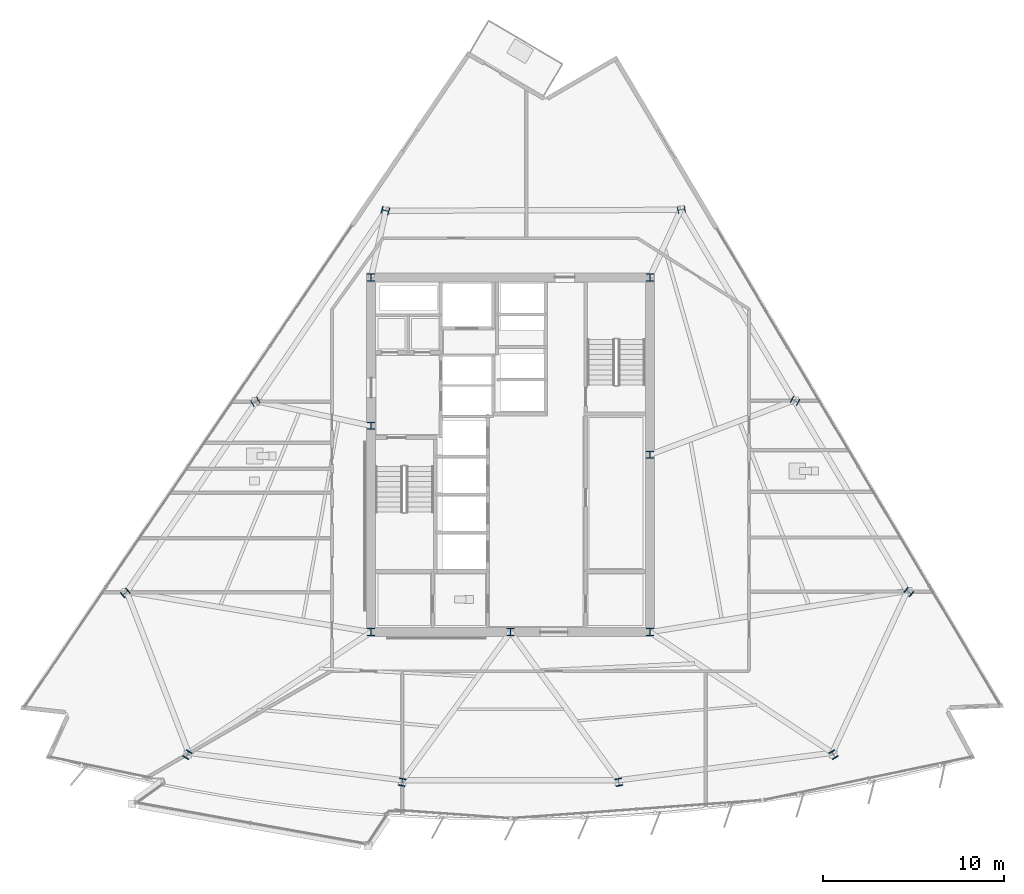
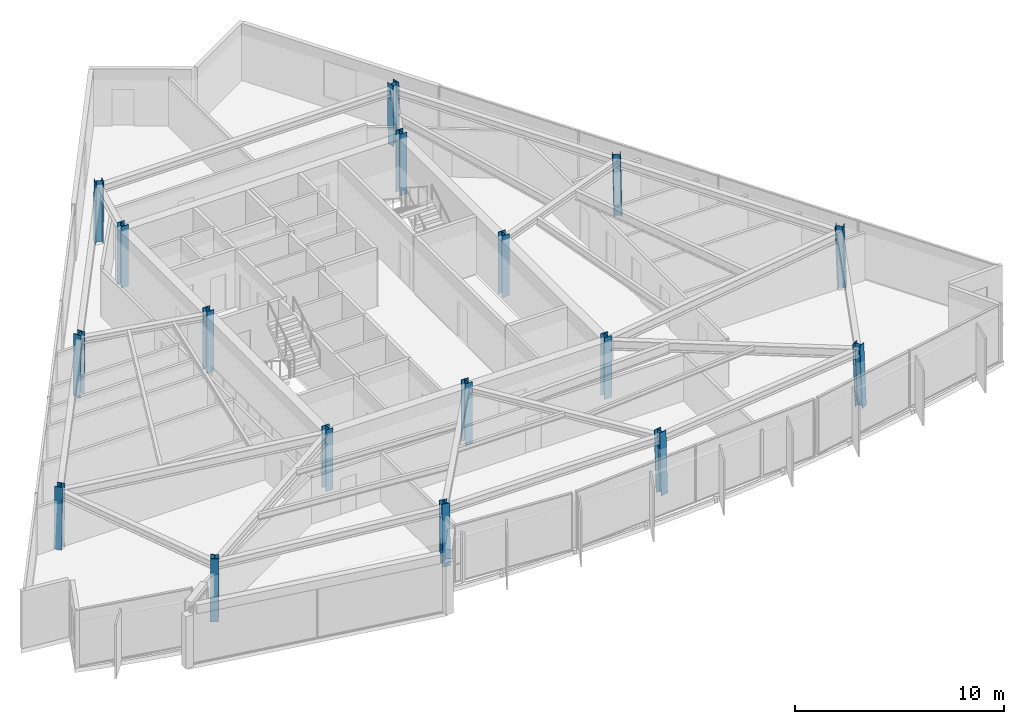
# One storey, part 1 of 16: 17 columns.
"""IFC4 building model written with IfcOpenShell, lengths in metres."""

import ifcopenshell
import ifcopenshell.guid

model = None  # the IFC model being written
_history = None  # IfcOwnerHistory: only IFC2X3 demands one
_inside = {}  # id of a spatial element -> (the spatial element, [elements in it])
_under = {}  # id of a project, library or spatial element -> (it, [spatial elements below it])
_declared = {}  # id of a project -> (the project, [libraries it declares])
_typed = {}  # id of a type object -> (the type object, [elements of that type])
_made_of = {}  # id of a material, layer set ... -> (it, [elements and type objects made of it])


def new_model(schema):
    """Start an empty IFC model of exactly this schema.

    Asked for "IFC4X3", IfcOpenShell would pick the latest addendum, in which some entities
    have other attributes; the version numbers below select the first issue.
    IFC2X3 requires an IfcOwnerHistory on every rooted entity: one is made here for all.
    """
    global model, _history
    if schema == "IFC4X3":
        model = ifcopenshell.file(schema_version=(4, 3, 0, 0))
    else:
        model = ifcopenshell.file(schema=schema)
    _inside.clear()
    _under.clear()
    _declared.clear()
    _typed.clear()
    _made_of.clear()
    _history = None
    if model.schema == "IFC2X3":
        org = make("IfcOrganization", Name="unknown")
        user = make(
            "IfcPersonAndOrganization",
            ThePerson=make("IfcPerson", FamilyName="unknown"),
            TheOrganization=org,
        )
        app = make(
            "IfcApplication",
            ApplicationDeveloper=org,
            Version="unknown",
            ApplicationFullName="unknown",
            ApplicationIdentifier="unknown",
        )
        _history = make(
            "IfcOwnerHistory",
            OwningUser=user,
            OwningApplication=app,
            ChangeAction="ADDED",
            CreationDate=0,
        )
    return model


def make(cls, **values):
    """One entity of the class cls with the attributes given. An attribute that is None is left unset."""
    return model.create_entity(
        cls, **{name: value for name, value in values.items() if value is not None}
    )


def rooted(cls, **values):
    """An entity with a GlobalId (a new one), such as an element, a storey or a relation."""
    return make(cls, GlobalId=ifcopenshell.guid.new(), OwnerHistory=_history, **values)


def si_unit(unit_type, name, prefix=None):
    """IfcSIUnit, for example si_unit("LENGTHUNIT", "METRE", prefix="MILLI")."""
    return make("IfcSIUnit", UnitType=unit_type, Prefix=prefix, Name=name)


def assignment(units):
    """IfcUnitAssignment: the units of a project."""
    return None if units is None else make("IfcUnitAssignment", Units=units)


def point(xyz):
    """IfcCartesianPoint."""
    return None if xyz is None else make("IfcCartesianPoint", Coordinates=xyz)


def direction(xyz):
    """IfcDirection."""
    return None if xyz is None else make("IfcDirection", DirectionRatios=xyz)


def frame(location, z_axis=None, x_axis=None):
    """IfcAxis2Placement3D, a coordinate frame: its origin and axes. An axis left out is left unset."""
    return make(
        "IfcAxis2Placement3D",
        Location=point(location),
        Axis=direction(z_axis),
        RefDirection=direction(x_axis),
    )


def frame_2d(location, x_axis=None):
    """IfcAxis2Placement2D, a coordinate frame in the plane: its origin and x axis."""
    return make(
        "IfcAxis2Placement2D", Location=point(location), RefDirection=direction(x_axis)
    )


def origin():
    """The frame at (0, 0, 0) with its axes left unset."""
    return frame((0.0, 0.0, 0.0))


def origin_2d():
    """The frame at (0, 0) in the plane with its x axis left unset."""
    return frame_2d((0.0, 0.0))


def place(relative_to, where):
    """IfcLocalPlacement: puts the frame where relative to a parent placement (None: the world)."""
    return make(
        "IfcLocalPlacement", PlacementRelTo=relative_to, RelativePlacement=where
    )


def context(
    kind, dimensions, precision=None, world=None, true_north=None, identifier=None
):
    """IfcGeometricRepresentationContext, for example the 3D "Model" context."""
    return make(
        "IfcGeometricRepresentationContext",
        ContextIdentifier=identifier,
        ContextType=kind,
        CoordinateSpaceDimension=dimensions,
        Precision=precision,
        WorldCoordinateSystem=world,
        TrueNorth=true_north,
    )


def subcontext(parent, identifier, kind, view, scale=None):
    """IfcGeometricRepresentationSubContext, for example "Body" below "Model"."""
    return make(
        "IfcGeometricRepresentationSubContext",
        ContextIdentifier=identifier,
        ContextType=kind,
        ParentContext=parent,
        TargetScale=scale,
        TargetView=view,
    )


def project(units=None, contexts=None):
    """IfcProject with its units and contexts."""
    return rooted(
        "IfcProject",
        Name="project",
        RepresentationContexts=contexts,
        UnitsInContext=assignment(units),
    )


def spatial(cls, under=None, at=None, **own):
    """A site, building, storey or space (cls), placed at a placement, below another one or the project."""
    s = rooted(cls, ObjectPlacement=at, **own)
    if under is not None:
        _under.setdefault(under.id(), (under, []))[1].append(s)
    return s


def profile(cls, at=None, kind="AREA", **sizes):
    """A parametric profile (cls). Its sizes go by their IFC names, for example OverallWidth=200.0."""
    return make(cls, ProfileType=kind, Position=at, **sizes)


def i_section(**sizes):
    """IfcIShapeProfileDef."""
    return profile("IfcIShapeProfileDef", **sizes)


def extrude(swept, where, along, depth):
    """IfcExtrudedAreaSolid: the profile swept, set in the frame where, extruded along a direction by depth."""
    return make(
        "IfcExtrudedAreaSolid",
        SweptArea=swept,
        Position=where,
        ExtrudedDirection=direction(along),
        Depth=depth,
    )


def shape(context_of_items, identifier, shape_type, items):
    """IfcShapeRepresentation: the items that make up one representation, for example the "Body"."""
    return make(
        "IfcShapeRepresentation",
        ContextOfItems=context_of_items,
        RepresentationIdentifier=identifier,
        RepresentationType=shape_type,
        Items=items,
    )


def material(Name=None, Category=None):
    """IfcMaterial."""
    return make("IfcMaterial", Name=Name, Category=Category)


def material_profile(
    of_material, cross_section, Name=None, Category=None, Priority=None
):
    """IfcMaterialProfile: a cross section and its material."""
    return make(
        "IfcMaterialProfile",
        Name=Name,
        Material=of_material,
        Profile=cross_section,
        Priority=Priority,
        Category=Category,
    )


def profile_set(profiles, Name=None, composite=None):
    """IfcMaterialProfileSet."""
    return make(
        "IfcMaterialProfileSet",
        Name=Name,
        MaterialProfiles=profiles,
        CompositeProfile=composite,
    )


def made_of(thing, what):
    """Note that an element or type object is made of a material, layer set ...; save() writes the relation."""
    if what is not None:
        _made_of.setdefault(what.id(), (what, []))[1].append(thing)
    return thing


def type_object(cls, material=None, **own):
    """A type object (cls), such as IfcWallType, which elements share."""
    return made_of(rooted(cls, **own), material)


def element(
    cls,
    number,
    at=None,
    inside=None,
    cuts=None,
    type_object=None,
    material=None,
    context=None,
    identifier="Body",
    shape_type=None,
    held_by="IfcProductDefinitionShape",
    body=None,
    shapes=None,
    **own,
):
    """One element of the class cls, such as IfcWall. Its Tag is "e" and its number.

    at: its placement. inside: the storey or other place that contains it. cuts: it is an
    opening in that element (IfcRelVoidsElement). A single representation is given by context,
    identifier, shape_type and body (its items); several are given by shapes. held_by: the class
    of the entity that holds the representations. save() writes the other relations.
    """
    e = rooted(cls, Tag="e%d" % number, ObjectPlacement=at, **own)
    if body is not None:
        shapes = [shape(context, identifier, shape_type, body)]
    if shapes is not None:
        e.Representation = make(held_by, Representations=shapes)
    if inside is not None:
        _inside.setdefault(inside.id(), (inside, []))[1].append(e)
    if cuts is not None:
        rooted(
            "IfcRelVoidsElement", RelatingBuildingElement=cuts, RelatedOpeningElement=e
        )
    if type_object is not None:
        _typed.setdefault(type_object.id(), (type_object, []))[1].append(e)
    return made_of(e, material)


def aggregate(whole, parts):
    """IfcRelAggregates: a whole, such as a stair, and the parts it consists of."""
    return rooted("IfcRelAggregates", RelatingObject=whole, RelatedObjects=parts)


def save(model, path):
    """Write the relations noted so far, then the file.

    IfcRelAggregates (storeys below a building ...), IfcRelContainedInSpatialStructure (elements
    in a storey), IfcRelDefinesByType, IfcRelAssociatesMaterial and IfcRelDeclares: one each for
    every whole, place, type object, material and project.
    """
    for whole, parts in _under.values():
        aggregate(whole, parts)
    for where, things in _inside.values():
        rooted(
            "IfcRelContainedInSpatialStructure",
            RelatedElements=things,
            RelatingStructure=where,
        )
    for kind, things in _typed.values():
        rooted("IfcRelDefinesByType", RelatedObjects=things, RelatingType=kind)
    for what, things in _made_of.values():
        rooted("IfcRelAssociatesMaterial", RelatedObjects=things, RelatingMaterial=what)
    for by, libraries in _declared.values():
        rooted("IfcRelDeclares", RelatingContext=by, RelatedDefinitions=libraries)
    model.write(path)


model = new_model("IFC4")

# Units and contexts
model_context = context("Model", 3, precision=1e-05, world=origin(), true_north=direction((0.0, 1.0)))
body_context = subcontext(model_context, "Body", "Model", "MODEL_VIEW")
ifc_project = project(units=[si_unit("LENGTHUNIT", "METRE"), si_unit("AREAUNIT", "SQUARE_METRE"), si_unit("VOLUMEUNIT", "CUBIC_METRE"), si_unit("PLANEANGLEUNIT", "RADIAN"), si_unit("MASSUNIT", "GRAM", prefix="KILO")], contexts=[model_context])

# Site, building, storey
site_placement = place(None, origin())
site = spatial("IfcSite", under=ifc_project, at=site_placement, CompositionType="ELEMENT")
building_placement = place(site_placement, origin())
building = spatial("IfcBuilding", under=site, at=building_placement, Name="Savorim Split Tower", CompositionType="ELEMENT")
storey_placement = place(building_placement, frame((0.0, 0.0, 153.0)))
storey = spatial("IfcBuildingStorey", under=building, at=storey_placement, Name="L40", CompositionType="ELEMENT", Elevation=153.0)

# Columns
ifc_material = material(Name="Steel S460", Category="steel")
ifc_material_profile = material_profile(ifc_material, i_section(OverallWidth=0.404052734375, OverallDepth=0.406982421875, WebThickness=0.017333984375, FlangeThickness=0.028076171875, FilletRadius=0.014892578125, at=origin_2d()), Name="HD 400x347")
ifc_profile_set = profile_set([ifc_material_profile], Name="Steel S460")
column_type = type_object("IfcColumnType", Name="COL-HD-347", PredefinedType="COLUMN", material=ifc_profile_set)
for number, where, z_axis, x_axis, name in (
    (1, (-7.699951171875, -9.39990234375, 0.0), (0.0, 0.0, 1.0), (1.0, 0.0, 0.0), "L40 Core Structural Column TC-C1"),
    (2, (7.699951171875, -9.39990234375, 0.0), (0.0, 0.0, 1.0), (1.0, 0.0, 0.0), "L40 Core Structural Column TC-C2"),
    (3, (7.699951171875, 10.199951171875, 0.0), (0.0, 0.0, 1.0), (1.0, 0.0, 0.0), "L40 Core Structural Column TC-C3"),
    (4, (-7.699951171875, 10.199951171875, 0.0), (0.0, 0.0, 1.0), (1.0, 0.0, 0.0), "L40 Core Structural Column TC-C4"),
    (5, (0.0, -9.39990234375, 0.0), (0.0, 0.0, 1.0), (1.0, 0.0, 0.0), "L40 Core Structural Column TC-C5"),
    (6, (7.699951171875, 0.39990234375, 0.0), (0.0, 0.0, 1.0), (1.0, 0.0, 0.0), "L40 Core Structural Column TC-C6"),
    (7, (-7.699951171875, 2.0, 0.0), (0.0, 0.0, 1.0), (1.0, 0.0, 0.0), "L40 Core Structural Column TC-C7"),
):
    element("IfcColumn", number, at=place(storey_placement, frame(where, z_axis=z_axis, x_axis=x_axis)), inside=storey, type_object=column_type, Name=name, PredefinedType="COLUMN", context=body_context, shape_type="SweptSolid", body=[
        extrude(i_section(OverallWidth=0.404052734375, OverallDepth=0.406982421875, WebThickness=0.017333984375, FlangeThickness=0.028076171875, FilletRadius=0.014892578125, at=origin_2d()), origin(), (0.0, 0.0, 1.0), 3.60009765625),
    ])
column_1_placement = place(storey_placement, frame((-17.858642578125, -16.187255859375, 0.005615234375), z_axis=(0.020596292833, 0.033511459955, 0.999226087917), x_axis=(-0.851954850327, 0.523615252838, 0.0)))
element("IfcColumn", 8, at=column_1_placement, inside=storey, type_object=column_type, Name="L40 Tapered Perimeter Column PC-S1", PredefinedType="COLUMN", context=body_context, shape_type="SweptSolid", body=[
    extrude(i_section(OverallWidth=0.404052734375, OverallDepth=0.406982421875, WebThickness=0.017333984375, FlangeThickness=0.028076171875, FilletRadius=0.014892578125, at=origin_2d()), origin(), (0.0, 0.0, 1.0), 3.591552734375),
])
for number, where, z_axis, x_axis, name in (
    (9, (-5.9853515625, -17.711669921875, 0.005615234375), (0.006866324617, 0.035215407439, 0.999356157066), (-0.981516643497, 0.191376797284, 0.0), "L40 Tapered Perimeter Column PC-S2"),
    (10, (5.9853515625, -17.711669921875, 0.005615234375), (-0.006866324617, 0.035215407439, 0.999356157066), (-0.981516643497, -0.191376797284, 0.0), "L40 Tapered Perimeter Column PC-S3"),
):
    element("IfcColumn", number, at=place(storey_placement, frame(where, z_axis=z_axis, x_axis=x_axis)), inside=storey, type_object=column_type, Name=name, PredefinedType="COLUMN", context=body_context, shape_type="SweptSolid", body=[
        extrude(i_section(OverallWidth=0.404052734375, OverallDepth=0.406982421875, WebThickness=0.017333984375, FlangeThickness=0.028076171875, FilletRadius=0.014892578125, at=origin_2d()), origin(), (0.0, 0.0, 1.0), 3.591064453125),
    ])
column_2_placement = place(storey_placement, frame((17.858642578125, -16.187255859375, 0.005615234375), z_axis=(-0.020596292833, 0.033511459955, 0.999226087917), x_axis=(-0.851954850327, -0.523615252838, 0.0)))
element("IfcColumn", 11, at=column_2_placement, inside=storey, type_object=column_type, Name="L40 Tapered Perimeter Column PC-S4", PredefinedType="COLUMN", context=body_context, shape_type="SweptSolid", body=[
    extrude(i_section(OverallWidth=0.404052734375, OverallDepth=0.406982421875, WebThickness=0.017333984375, FlangeThickness=0.028076171875, FilletRadius=0.014892578125, at=origin_2d()), origin(), (0.0, 0.0, 1.0), 3.591552734375),
])
column_3_placement = place(storey_placement, frame((22.01708984375, -7.197998046875, 0.005615234375), z_axis=(-0.026107436898, 0.021620221181, 0.999425318758), x_axis=(-0.637813971185, -0.770190455771, 0.0)))
element("IfcColumn", 12, at=column_3_placement, inside=storey, type_object=column_type, Name="L40 Tapered Perimeter Column PC-E1", PredefinedType="COLUMN", context=body_context, shape_type="SweptSolid", body=[
    extrude(i_section(OverallWidth=0.404052734375, OverallDepth=0.406982421875, WebThickness=0.017333984375, FlangeThickness=0.028076171875, FilletRadius=0.014892578125, at=origin_2d()), origin(), (0.0, 0.0, 1.0), 3.5908203125),
])
column_4_placement = place(storey_placement, frame((15.732666015625, 3.37060546875, 0.005615234375), z_axis=(-0.018907326549, 0.00952167524, 0.999775900241), x_axis=(-0.449781931574, -0.893138406984, 0.0)))
element("IfcColumn", 13, at=column_4_placement, inside=storey, type_object=column_type, Name="L40 Tapered Perimeter Column PC-E2", PredefinedType="COLUMN", context=body_context, shape_type="SweptSolid", body=[
    extrude(i_section(OverallWidth=0.404052734375, OverallDepth=0.406982421875, WebThickness=0.017333984375, FlangeThickness=0.028076171875, FilletRadius=0.014892578125, at=origin_2d()), origin(), (0.0, 0.0, 1.0), 3.589599609375),
])
for number, where, z_axis, x_axis, name in (
    (14, (9.448486328125, 13.93896484375, 0.005615234375), (-0.011767855299, -0.002516824544, 0.999927588966), (0.209143047003, -0.977885057607, 0.0), "L40 Tapered Perimeter Column PC-E3"),
    (15, (-6.91455078125, 13.89013671875, 0.005615234375), (0.00877514453, -0.002516901919, 0.999958330153), (0.275705143097, 0.961242255662, 0.0), "L40 Tapered Perimeter Column PC-W1"),
):
    element("IfcColumn", number, at=place(storey_placement, frame(where, z_axis=z_axis, x_axis=x_axis)), inside=storey, type_object=column_type, Name=name, PredefinedType="COLUMN", context=body_context, shape_type="SweptSolid", body=[
        extrude(i_section(OverallWidth=0.404052734375, OverallDepth=0.406982421875, WebThickness=0.017333984375, FlangeThickness=0.028076171875, FilletRadius=0.014892578125, at=origin_2d()), origin(), (0.0, 0.0, 1.0), 3.589111328125),
    ])
column_5_placement = place(storey_placement, frame((-14.10400390625, 3.32177734375, 0.005615234375), z_axis=(0.017003572908, 0.009522000828, 0.999810086971), x_axis=(-0.488603368932, 0.87250601595, 0.0)))
element("IfcColumn", 16, at=column_5_placement, inside=storey, type_object=column_type, Name="L40 Tapered Perimeter Column PC-W2", PredefinedType="COLUMN", context=body_context, shape_type="SweptSolid", body=[
    extrude(i_section(OverallWidth=0.404052734375, OverallDepth=0.406982421875, WebThickness=0.017333984375, FlangeThickness=0.028076171875, FilletRadius=0.014892578125, at=origin_2d()), origin(), (0.0, 0.0, 1.0), 3.589599609375),
])
column_6_placement = place(storey_placement, frame((-21.293701171875, -7.246826171875, 0.005615234375), z_axis=(0.025292109804, 0.02162067451, 0.999446274502), x_axis=(-0.649781149204, 0.760121344352, 0.0)))
element("IfcColumn", 17, at=column_6_placement, inside=storey, type_object=column_type, Name="L40 Tapered Perimeter Column PC-W3", PredefinedType="COLUMN", context=body_context, shape_type="SweptSolid", body=[
    extrude(i_section(OverallWidth=0.404052734375, OverallDepth=0.406982421875, WebThickness=0.017333984375, FlangeThickness=0.028076171875, FilletRadius=0.014892578125, at=origin_2d()), origin(), (0.0, 0.0, 1.0), 3.5908203125),
])

save(model, "model.ifc")
